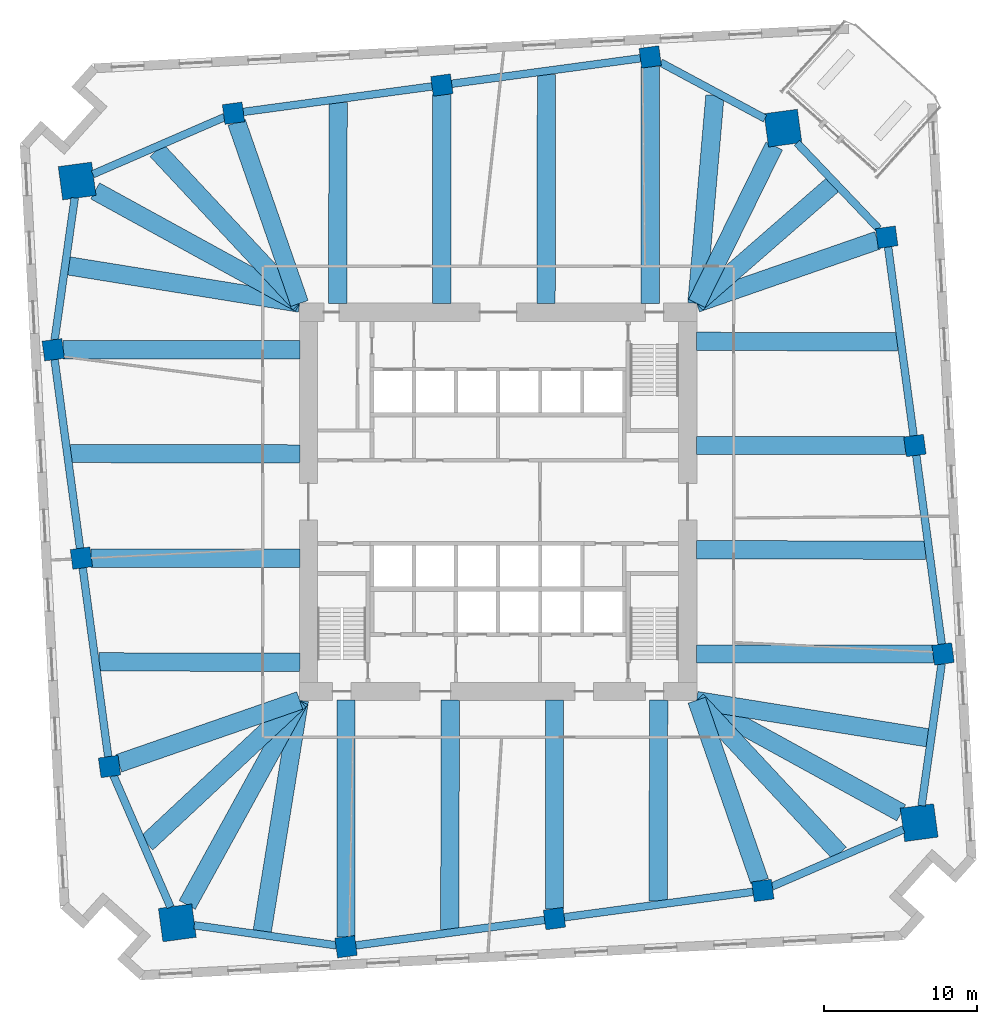
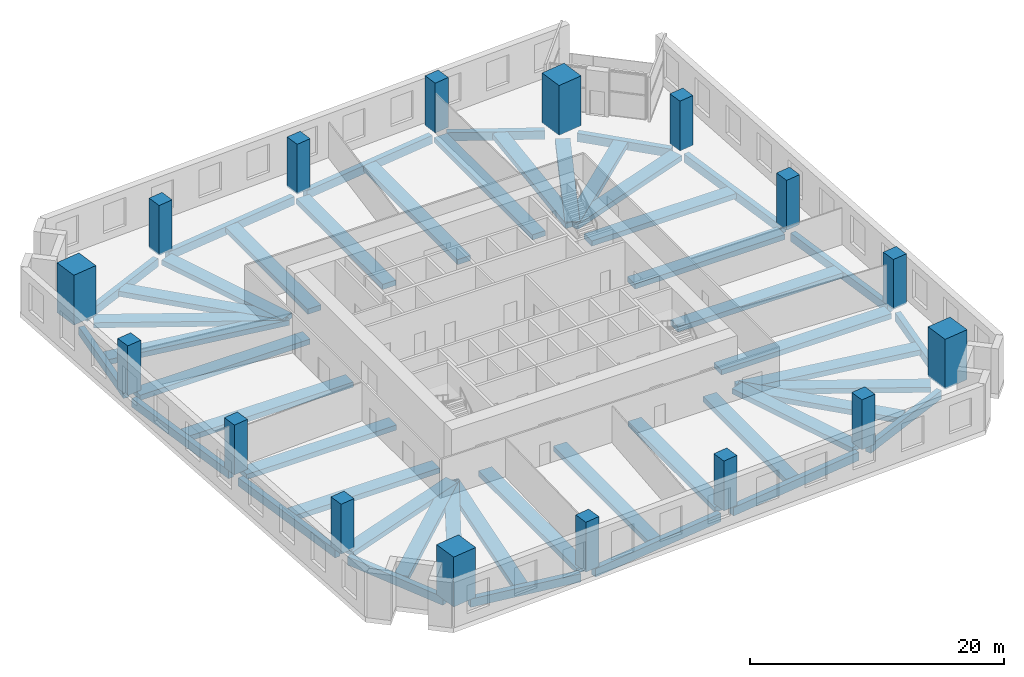
# One storey, part 1 of 10: 48 beams, 16 columns.
"""IFC4 building model written with IfcOpenShell, lengths in metres."""

from ifc_helpers import new_model, si_unit, direction, frame, origin, origin_2d, place, context, subcontext, project, spatial, rectangle, extrude, material, material_profile, profile_set, type_object, element, save


model = new_model("IFC4")

# Units and contexts
model_context = context("Model", 3, precision=1e-05, world=origin(), true_north=direction((0.0, 1.0)))
body_context = subcontext(model_context, "Body", "Model", "MODEL_VIEW")
ifc_project = project(units=[si_unit("LENGTHUNIT", "METRE"), si_unit("AREAUNIT", "SQUARE_METRE"), si_unit("VOLUMEUNIT", "CUBIC_METRE"), si_unit("PLANEANGLEUNIT", "RADIAN"), si_unit("MASSUNIT", "GRAM", prefix="KILO")], contexts=[model_context])

# Site, building, storey
site_placement = place(None, origin())
site = spatial("IfcSite", under=ifc_project, at=site_placement, CompositionType="ELEMENT")
building_placement = place(site_placement, origin())
building = spatial("IfcBuilding", under=site, at=building_placement, Name="Dilmun Exchange Tower", CompositionType="ELEMENT")
storey_placement = place(building_placement, frame((0.0, 0.0, 32.10009765625)))
storey = spatial("IfcBuildingStorey", under=building, at=storey_placement, Name="L07", CompositionType="ELEMENT", Elevation=32.10009765625)

# Columns
ifc_material_1 = material(Name="Concrete C80/95", Category="concrete")
ifc_material_profile_1 = material_profile(ifc_material_1, rectangle(XDim=2.199951171875, YDim=2.199951171875, at=origin_2d()), Name="2200 x 2200")
ifc_profile_set_1 = profile_set([ifc_material_profile_1], Name="Concrete C80/95")
column_type_1 = type_object("IfcColumnType", Name="RC mega column 2200 x 2200 C80/95", PredefinedType="COLUMN", material=ifc_profile_set_1)
for number, where, z_axis, x_axis, name in (
    (1, (18.6220703125, 24.43701171875, 0.0), (0.0, 0.0, 1.0), (0.991001197216, 0.133853005627, 0.0), "Mega column M1"),
    (2, (-27.531005859375, 20.97900390625, 0.0), (0.0, 0.0, 1.0), (0.991001197216, 0.133853005627, 0.0), "Mega column M2"),
    (3, (-20.97900390625, -27.531005859375, 0.0), (0.0, 0.0, 1.0), (0.991001197216, 0.133853005627, 0.0), "Mega column M3"),
    (4, (27.531005859375, -20.97900390625, 0.0), (0.0, 0.0, 1.0), (0.991001197216, 0.133853005627, 0.0), "Mega column M4"),
):
    element("IfcColumn", number, at=place(storey_placement, frame(where, z_axis=z_axis, x_axis=x_axis)), inside=storey, type_object=column_type_1, Name=name, PredefinedType="COLUMN", context=body_context, shape_type="SweptSolid", body=[
        extrude(rectangle(XDim=2.199951171875, YDim=2.199951171875, at=origin_2d()), origin(), (0.0, 0.0, 1.0), 4.7998046875),
    ])
ifc_material_profile_2 = material_profile(ifc_material_1, rectangle(XDim=1.300048828125, YDim=1.300048828125, at=origin_2d()), Name="1300 x 1300")
ifc_profile_set_2 = profile_set([ifc_material_profile_2], Name="Concrete C80/95")
column_type_2 = type_object("IfcColumnType", Name="RC ring column 1300 x 1300 C80/95", PredefinedType="COLUMN", material=ifc_profile_set_2)
for number, where, z_axis, x_axis, name in (
    (5, (9.945068359375, 29.093017578125, 0.0), (0.0, 0.0, 1.0), (0.991001197216, 0.133853005627, 0.0), "Ring column R01"),
    (6, (-3.680908203125, 27.2529296875, 0.0), (0.0, 0.0, 1.0), (0.991001197216, 0.133853005627, 0.0), "Ring column R02"),
    (7, (-17.306884765625, 25.412109375, 0.0), (0.0, 0.0, 1.0), (0.991001197216, 0.133853005627, 0.0), "Ring column R03"),
    (8, (-29.093017578125, 9.945068359375, 0.0), (0.0, 0.0, 1.0), (0.991001197216, 0.133853005627, 0.0), "Ring column R04"),
    (9, (-27.2529296875, -3.680908203125, 0.0), (0.0, 0.0, 1.0), (0.991001197216, 0.133853005627, 0.0), "Ring column R05"),
    (10, (-25.412109375, -17.306884765625, 0.0), (0.0, 0.0, 1.0), (0.991001197216, 0.133853005627, 0.0), "Ring column R06"),
    (11, (-9.945068359375, -29.093017578125, 0.0), (0.0, 0.0, 1.0), (0.991001197216, 0.133853005627, 0.0), "Ring column R07"),
    (12, (3.680908203125, -27.2529296875, 0.0), (0.0, 0.0, 1.0), (0.991001197216, 0.133853005627, 0.0), "Ring column R08"),
    (13, (17.306884765625, -25.412109375, 0.0), (0.0, 0.0, 1.0), (0.991001197216, 0.133853005627, 0.0), "Ring column R09"),
    (14, (29.093017578125, -9.945068359375, 0.0), (0.0, 0.0, 1.0), (0.991001197216, 0.133853005627, 0.0), "Ring column R10"),
    (15, (27.2529296875, 3.680908203125, 0.0), (0.0, 0.0, 1.0), (0.991001197216, 0.133853005627, 0.0), "Ring column R11"),
    (16, (25.412109375, 17.306884765625, 0.0), (0.0, 0.0, 1.0), (0.991001197216, 0.133853005627, 0.0), "Ring column R12"),
):
    element("IfcColumn", number, at=place(storey_placement, frame(where, z_axis=z_axis, x_axis=x_axis)), inside=storey, type_object=column_type_2, Name=name, PredefinedType="COLUMN", context=body_context, shape_type="SweptSolid", body=[
        extrude(rectangle(XDim=1.300048828125, YDim=1.300048828125, at=origin_2d()), origin(), (0.0, 0.0, 1.0), 4.7998046875),
    ])

# Beams
ifc_material_2 = material(Name="Concrete C40/50", Category="concrete")
ifc_material_profile_3 = material_profile(ifc_material_2, rectangle(XDim=1.199951171875, YDim=0.5, at=origin_2d()), Name="1200 x 500")
ifc_profile_set_3 = profile_set([ifc_material_profile_3], Name="Concrete C40/50")
beam_type_1 = type_object("IfcBeamType", Name="RC band beam 1200 x 500 C40/50", PredefinedType="BEAM", material=ifc_profile_set_3)
beam_1_placement = place(storey_placement, frame((18.049560546875, 23.272216796875, -0.7001953125), z_axis=(-0.44116009834, -0.897428419225, 0.0), x_axis=(0.897428419225, -0.44116009834, 0.0)))
element("IfcBeam", 17, at=beam_1_placement, inside=storey, type_object=beam_type_1, Name="Band beam 1", PredefinedType="BEAM", context=body_context, shape_type="SweptSolid", body=[
    extrude(rectangle(XDim=1.199951171875, YDim=0.5, at=origin_2d()), origin(), (0.0, 0.0, 1.0), 11.47314453125),
])
beam_2_placement = place(storey_placement, frame((9.945068359375, 28.464111328125, -0.7001953125), z_axis=(0.0, -1.0, 0.0), x_axis=(1.0, 0.0, 0.0)))
element("IfcBeam", 18, at=beam_2_placement, inside=storey, type_object=beam_type_1, Name="Band beam 2", PredefinedType="BEAM", context=body_context, shape_type="SweptSolid", body=[
    extrude(rectangle(XDim=1.199951171875, YDim=0.5, at=origin_2d()), origin(), (0.0, 0.0, 1.0), 15.4912109375),
])
beam_3_placement = place(storey_placement, frame((-3.680908203125, 26.6240234375, -0.7001953125), z_axis=(0.0, -1.0, 0.0), x_axis=(1.0, 0.0, 0.0)))
element("IfcBeam", 19, at=beam_3_placement, inside=storey, type_object=beam_type_1, Name="Band beam 3", PredefinedType="BEAM", context=body_context, shape_type="SweptSolid", body=[
    extrude(rectangle(XDim=1.199951171875, YDim=0.5, at=origin_2d()), origin(), (0.0, 0.0, 1.0), 13.651123046875),
])
beam_4_placement = place(storey_placement, frame((-17.098388671875, 24.81103515625, -0.7001953125), z_axis=(0.327819910959, -0.94474023201, 0.0), x_axis=(0.94474023201, 0.327819910959, 0.0)))
element("IfcBeam", 20, at=beam_4_placement, inside=storey, type_object=beam_type_1, Name="Band beam 4", PredefinedType="BEAM", context=body_context, shape_type="SweptSolid", body=[
    extrude(rectangle(XDim=1.199951171875, YDim=0.5, at=origin_2d()), origin(), (0.0, 0.0, 1.0), 12.52880859375),
])
beam_5_placement = place(storey_placement, frame((-26.355712890625, 20.333740234375, -0.7001953125), z_axis=(0.876547324806, -0.481315683699, 0.0), x_axis=(0.481315683699, 0.876547324806, 0.0)))
element("IfcBeam", 21, at=beam_5_placement, inside=storey, type_object=beam_type_1, Name="Band beam 5", PredefinedType="BEAM", context=body_context, shape_type="SweptSolid", body=[
    extrude(rectangle(XDim=1.199951171875, YDim=0.5, at=origin_2d()), origin(), (0.0, 0.0, 1.0), 15.263671875),
])
beam_6_placement = place(storey_placement, frame((-28.464111328125, 9.945068359375, -0.7001953125), z_axis=(1.0, 0.0, 0.0), x_axis=(0.0, 1.0, 0.0)))
element("IfcBeam", 22, at=beam_6_placement, inside=storey, type_object=beam_type_1, Name="Band beam 6", PredefinedType="BEAM", context=body_context, shape_type="SweptSolid", body=[
    extrude(rectangle(XDim=1.199951171875, YDim=0.5, at=origin_2d()), origin(), (0.0, 0.0, 1.0), 15.4912109375),
])
beam_7_placement = place(storey_placement, frame((-26.6240234375, -3.680908203125, -0.7001953125), z_axis=(1.0, 0.0, 0.0), x_axis=(0.0, 1.0, 0.0)))
element("IfcBeam", 23, at=beam_7_placement, inside=storey, type_object=beam_type_1, Name="Band beam 7", PredefinedType="BEAM", context=body_context, shape_type="SweptSolid", body=[
    extrude(rectangle(XDim=1.199951171875, YDim=0.5, at=origin_2d()), origin(), (0.0, 0.0, 1.0), 13.651123046875),
])
beam_8_placement = place(storey_placement, frame((-24.81103515625, -17.098388671875, -0.7001953125), z_axis=(0.94474023201, 0.327819910959, 0.0), x_axis=(-0.327819910959, 0.94474023201, 0.0)))
element("IfcBeam", 24, at=beam_8_placement, inside=storey, type_object=beam_type_1, Name="Band beam 8", PredefinedType="BEAM", context=body_context, shape_type="SweptSolid", body=[
    extrude(rectangle(XDim=1.199951171875, YDim=0.5, at=origin_2d()), origin(), (0.0, 0.0, 1.0), 12.52880859375),
])
beam_9_placement = place(storey_placement, frame((-20.333740234375, -26.355712890625, -0.7001953125), z_axis=(0.481315683699, 0.876547324806, 0.0), x_axis=(-0.876547324806, 0.481315683699, 0.0)))
element("IfcBeam", 25, at=beam_9_placement, inside=storey, type_object=beam_type_1, Name="Band beam 9", PredefinedType="BEAM", context=body_context, shape_type="SweptSolid", body=[
    extrude(rectangle(XDim=1.199951171875, YDim=0.5, at=origin_2d()), origin(), (0.0, 0.0, 1.0), 15.263671875),
])
beam_10_placement = place(storey_placement, frame((-9.945068359375, -28.464111328125, -0.7001953125), z_axis=(0.0, 1.0, 0.0), x_axis=(-1.0, 0.0, 0.0)))
element("IfcBeam", 26, at=beam_10_placement, inside=storey, type_object=beam_type_1, Name="Band beam 10", PredefinedType="BEAM", context=body_context, shape_type="SweptSolid", body=[
    extrude(rectangle(XDim=1.199951171875, YDim=0.5, at=origin_2d()), origin(), (0.0, 0.0, 1.0), 15.4912109375),
])
beam_11_placement = place(storey_placement, frame((3.680908203125, -26.6240234375, -0.7001953125), z_axis=(0.0, 1.0, 0.0), x_axis=(-1.0, 0.0, 0.0)))
element("IfcBeam", 27, at=beam_11_placement, inside=storey, type_object=beam_type_1, Name="Band beam 11", PredefinedType="BEAM", context=body_context, shape_type="SweptSolid", body=[
    extrude(rectangle(XDim=1.199951171875, YDim=0.5, at=origin_2d()), origin(), (0.0, 0.0, 1.0), 13.651123046875),
])
beam_12_placement = place(storey_placement, frame((17.098388671875, -24.81103515625, -0.7001953125), z_axis=(-0.327819910959, 0.94474023201, 0.0), x_axis=(-0.94474023201, -0.327819910959, 0.0)))
element("IfcBeam", 28, at=beam_12_placement, inside=storey, type_object=beam_type_1, Name="Band beam 12", PredefinedType="BEAM", context=body_context, shape_type="SweptSolid", body=[
    extrude(rectangle(XDim=1.199951171875, YDim=0.5, at=origin_2d()), origin(), (0.0, 0.0, 1.0), 12.52880859375),
])
beam_13_placement = place(storey_placement, frame((26.355712890625, -20.333740234375, -0.7001953125), z_axis=(-0.876547324806, 0.481315683699, 0.0), x_axis=(-0.481315683699, -0.876547324806, 0.0)))
element("IfcBeam", 29, at=beam_13_placement, inside=storey, type_object=beam_type_1, Name="Band beam 13", PredefinedType="BEAM", context=body_context, shape_type="SweptSolid", body=[
    extrude(rectangle(XDim=1.199951171875, YDim=0.5, at=origin_2d()), origin(), (0.0, 0.0, 1.0), 15.263671875),
])
beam_14_placement = place(storey_placement, frame((28.464111328125, -9.945068359375, -0.7001953125), z_axis=(-1.0, 0.0, 0.0), x_axis=(0.0, -1.0, 0.0)))
element("IfcBeam", 30, at=beam_14_placement, inside=storey, type_object=beam_type_1, Name="Band beam 14", PredefinedType="BEAM", context=body_context, shape_type="SweptSolid", body=[
    extrude(rectangle(XDim=1.199951171875, YDim=0.5, at=origin_2d()), origin(), (0.0, 0.0, 1.0), 15.4912109375),
])
beam_15_placement = place(storey_placement, frame((26.6240234375, 3.680908203125, -0.7001953125), z_axis=(-1.0, 0.0, 0.0), x_axis=(0.0, -1.0, 0.0)))
element("IfcBeam", 31, at=beam_15_placement, inside=storey, type_object=beam_type_1, Name="Band beam 15", PredefinedType="BEAM", context=body_context, shape_type="SweptSolid", body=[
    extrude(rectangle(XDim=1.199951171875, YDim=0.5, at=origin_2d()), origin(), (0.0, 0.0, 1.0), 13.651123046875),
])
beam_16_placement = place(storey_placement, frame((24.81103515625, 17.098388671875, -0.7001953125), z_axis=(-0.94474023201, -0.327819910959, 0.0), x_axis=(0.327819910959, -0.94474023201, 0.0)))
element("IfcBeam", 32, at=beam_16_placement, inside=storey, type_object=beam_type_1, Name="Band beam 16", PredefinedType="BEAM", context=body_context, shape_type="SweptSolid", body=[
    extrude(rectangle(XDim=1.199951171875, YDim=0.5, at=origin_2d()), origin(), (0.0, 0.0, 1.0), 12.52880859375),
])
beam_17_placement = place(storey_placement, frame((14.177978515625, 26.568603515625, -0.7001953125), z_axis=(-0.086499148019, -0.996251924662, 0.0), x_axis=(0.996251924662, -0.086499148019, 0.0)))
element("IfcBeam", 33, at=beam_17_placement, inside=storey, type_object=beam_type_1, Name="Band beam 17", PredefinedType="BEAM", context=body_context, shape_type="SweptSolid", body=[
    extrude(rectangle(XDim=1.199951171875, YDim=0.5, at=origin_2d()), origin(), (0.0, 0.0, 1.0), 13.646728515625),
])
beam_18_placement = place(storey_placement, frame((3.161865234375, 27.951904296875, -0.7001953125), z_axis=(-0.001988456479, -0.999998023018, 0.0), x_axis=(0.999998023018, -0.001988456479, 0.0)))
element("IfcBeam", 34, at=beam_18_placement, inside=storey, type_object=beam_type_1, Name="Band beam 18", PredefinedType="BEAM", context=body_context, shape_type="SweptSolid", body=[
    extrude(rectangle(XDim=1.199951171875, YDim=0.5, at=origin_2d()), origin(), (0.0, 0.0, 1.0), 14.97900390625),
])
beam_19_placement = place(storey_placement, frame((-10.464111328125, 26.111572265625, -0.7001953125), z_axis=(-0.002266977971, -0.999997430402, 0.0), x_axis=(0.999997430402, -0.002266977971, 0.0)))
element("IfcBeam", 35, at=beam_19_placement, inside=storey, type_object=beam_type_1, Name="Band beam 19", PredefinedType="BEAM", context=body_context, shape_type="SweptSolid", body=[
    extrude(rectangle(XDim=1.199951171875, YDim=0.5, at=origin_2d()), origin(), (0.0, 0.0, 1.0), 13.138671875),
])
beam_20_placement = place(storey_placement, frame((-22.330322265625, 22.990966796875, -0.7001953125), z_axis=(0.682523984798, -0.730863195253, 0.0), x_axis=(0.730863195253, 0.682523984798, 0.0)))
element("IfcBeam", 36, at=beam_20_placement, inside=storey, type_object=beam_type_1, Name="Band beam 20", PredefinedType="BEAM", context=body_context, shape_type="SweptSolid", body=[
    extrude(rectangle(XDim=1.199951171875, YDim=0.5, at=origin_2d()), origin(), (0.0, 0.0, 1.0), 13.697265625),
])
beam_21_placement = place(storey_placement, frame((-28.09130859375, 15.4306640625, -0.7001953125), z_axis=(0.98727513595, -0.159021400868, 0.0), x_axis=(0.159021400868, 0.98727513595, 0.0)))
element("IfcBeam", 37, at=beam_21_placement, inside=storey, type_object=beam_type_1, Name="Band beam 21", PredefinedType="BEAM", context=body_context, shape_type="SweptSolid", body=[
    extrude(rectangle(XDim=1.199951171875, YDim=0.5, at=origin_2d()), origin(), (0.0, 0.0, 1.0), 15.312744140625),
])
beam_22_placement = place(storey_placement, frame((-27.951904296875, 3.161865234375, -0.7001953125), z_axis=(0.999998023018, -0.001988456479, 0.0), x_axis=(0.001988456479, 0.999998023018, 0.0)))
element("IfcBeam", 38, at=beam_22_placement, inside=storey, type_object=beam_type_1, Name="Band beam 22", PredefinedType="BEAM", context=body_context, shape_type="SweptSolid", body=[
    extrude(rectangle(XDim=1.199951171875, YDim=0.5, at=origin_2d()), origin(), (0.0, 0.0, 1.0), 14.97900390625),
])
beam_23_placement = place(storey_placement, frame((-26.111572265625, -10.464111328125, -0.7001953125), z_axis=(0.999997430402, -0.002266977971, 0.0), x_axis=(0.002266977971, 0.999997430402, 0.0)))
element("IfcBeam", 39, at=beam_23_placement, inside=storey, type_object=beam_type_1, Name="Band beam 23", PredefinedType="BEAM", context=body_context, shape_type="SweptSolid", body=[
    extrude(rectangle(XDim=1.199951171875, YDim=0.5, at=origin_2d()), origin(), (0.0, 0.0, 1.0), 13.138671875),
])
beam_24_placement = place(storey_placement, frame((-22.990966796875, -22.330322265625, -0.7001953125), z_axis=(0.730863195253, 0.682523984798, 0.0), x_axis=(-0.682523984798, 0.730863195253, 0.0)))
element("IfcBeam", 40, at=beam_24_placement, inside=storey, type_object=beam_type_1, Name="Band beam 24", PredefinedType="BEAM", context=body_context, shape_type="SweptSolid", body=[
    extrude(rectangle(XDim=1.199951171875, YDim=0.5, at=origin_2d()), origin(), (0.0, 0.0, 1.0), 13.697265625),
])
beam_25_placement = place(storey_placement, frame((-15.4306640625, -28.09130859375, -0.7001953125), z_axis=(0.159021400868, 0.98727513595, 0.0), x_axis=(-0.98727513595, 0.159021400868, 0.0)))
element("IfcBeam", 41, at=beam_25_placement, inside=storey, type_object=beam_type_1, Name="Band beam 25", PredefinedType="BEAM", context=body_context, shape_type="SweptSolid", body=[
    extrude(rectangle(XDim=1.199951171875, YDim=0.5, at=origin_2d()), origin(), (0.0, 0.0, 1.0), 15.312744140625),
])
beam_26_placement = place(storey_placement, frame((-3.161865234375, -27.951904296875, -0.7001953125), z_axis=(0.001988456479, 0.999998023018, 0.0), x_axis=(-0.999998023018, 0.001988456479, 0.0)))
element("IfcBeam", 42, at=beam_26_placement, inside=storey, type_object=beam_type_1, Name="Band beam 26", PredefinedType="BEAM", context=body_context, shape_type="SweptSolid", body=[
    extrude(rectangle(XDim=1.199951171875, YDim=0.5, at=origin_2d()), origin(), (0.0, 0.0, 1.0), 14.97900390625),
])
beam_27_placement = place(storey_placement, frame((10.464111328125, -26.111572265625, -0.7001953125), z_axis=(0.002266977971, 0.999997430402, 0.0), x_axis=(-0.999997430402, 0.002266977971, 0.0)))
element("IfcBeam", 43, at=beam_27_placement, inside=storey, type_object=beam_type_1, Name="Band beam 27", PredefinedType="BEAM", context=body_context, shape_type="SweptSolid", body=[
    extrude(rectangle(XDim=1.199951171875, YDim=0.5, at=origin_2d()), origin(), (0.0, 0.0, 1.0), 13.138671875),
])
beam_28_placement = place(storey_placement, frame((22.330322265625, -22.990966796875, -0.7001953125), z_axis=(-0.682523984798, 0.730863195253, 0.0), x_axis=(-0.730863195253, -0.682523984798, 0.0)))
element("IfcBeam", 44, at=beam_28_placement, inside=storey, type_object=beam_type_1, Name="Band beam 28", PredefinedType="BEAM", context=body_context, shape_type="SweptSolid", body=[
    extrude(rectangle(XDim=1.199951171875, YDim=0.5, at=origin_2d()), origin(), (0.0, 0.0, 1.0), 13.697265625),
])
beam_29_placement = place(storey_placement, frame((28.09130859375, -15.4306640625, -0.7001953125), z_axis=(-0.98727513595, 0.159021400868, 0.0), x_axis=(-0.159021400868, -0.98727513595, 0.0)))
element("IfcBeam", 45, at=beam_29_placement, inside=storey, type_object=beam_type_1, Name="Band beam 29", PredefinedType="BEAM", context=body_context, shape_type="SweptSolid", body=[
    extrude(rectangle(XDim=1.199951171875, YDim=0.5, at=origin_2d()), origin(), (0.0, 0.0, 1.0), 15.312744140625),
])
beam_30_placement = place(storey_placement, frame((27.951904296875, -3.161865234375, -0.7001953125), z_axis=(-0.999998023018, 0.001988456479, 0.0), x_axis=(-0.001988456479, -0.999998023018, 0.0)))
element("IfcBeam", 46, at=beam_30_placement, inside=storey, type_object=beam_type_1, Name="Band beam 30", PredefinedType="BEAM", context=body_context, shape_type="SweptSolid", body=[
    extrude(rectangle(XDim=1.199951171875, YDim=0.5, at=origin_2d()), origin(), (0.0, 0.0, 1.0), 14.97900390625),
])
beam_31_placement = place(storey_placement, frame((26.111572265625, 10.464111328125, -0.7001953125), z_axis=(-0.999997430402, 0.002266977971, 0.0), x_axis=(-0.002266977971, -0.999997430402, 0.0)))
element("IfcBeam", 47, at=beam_31_placement, inside=storey, type_object=beam_type_1, Name="Band beam 31", PredefinedType="BEAM", context=body_context, shape_type="SweptSolid", body=[
    extrude(rectangle(XDim=1.199951171875, YDim=0.5, at=origin_2d()), origin(), (0.0, 0.0, 1.0), 13.138671875),
])
beam_32_placement = place(storey_placement, frame((21.85546875, 20.71826171875, -0.7001953125), z_axis=(-0.75384567582, -0.657051517803, 0.0), x_axis=(0.657051517803, -0.75384567582, 0.0)))
element("IfcBeam", 48, at=beam_32_placement, inside=storey, type_object=beam_type_1, Name="Band beam 32", PredefinedType="BEAM", context=body_context, shape_type="SweptSolid", body=[
    extrude(rectangle(XDim=1.199951171875, YDim=0.5, at=origin_2d()), origin(), (0.0, 0.0, 1.0), 11.77392578125),
])
ifc_material_profile_4 = material_profile(ifc_material_2, rectangle(XDim=0.5, YDim=0.800048828125, at=origin_2d()), Name="500 x 800")
ifc_profile_set_4 = profile_set([ifc_material_profile_4], Name="Concrete C40/50")
beam_type_2 = type_object("IfcBeamType", Name="RC ring beam 500 x 800 C40/50", PredefinedType="SPANDREL", material=ifc_profile_set_4)
beam_33_placement = place(storey_placement, frame((17.44921875, 25.06640625, -0.85009765625), z_axis=(-0.881161870548, 0.472814718354, 0.0), x_axis=(-0.472814718354, -0.881161870548, 0.0)))
element("IfcBeam", 49, at=beam_33_placement, inside=storey, type_object=beam_type_2, Name="Ring beam 1", PredefinedType="SPANDREL", context=body_context, shape_type="SweptSolid", body=[
    extrude(rectangle(XDim=0.5, YDim=0.800048828125, at=origin_2d()), origin(), (0.0, 0.0, 1.0), 7.74072265625),
])
for number, where, z_axis, x_axis, name in (
    (50, (9.32763671875, 29.009521484375, -0.85009765625), (-0.991007411355, -0.133806990248, 0.0), (0.133806990248, -0.991007411355, 0.0), "Ring beam 2"),
    (51, (-4.29833984375, 27.169677734375, -0.85009765625), (-0.990994461239, -0.133902867012, 0.0), (0.133902867012, -0.990994461239, 0.0), "Ring beam 3"),
):
    element("IfcBeam", number, at=place(storey_placement, frame(where, z_axis=z_axis, x_axis=x_axis)), inside=storey, type_object=beam_type_2, Name=name, PredefinedType="SPANDREL", context=body_context, shape_type="SweptSolid", body=[
        extrude(rectangle(XDim=0.5, YDim=0.800048828125, at=origin_2d()), origin(), (0.0, 0.0, 1.0), 12.50390625),
    ])
beam_34_placement = place(storey_placement, frame((-17.90185546875, 25.154052734375, -0.85009765625), z_axis=(-0.917467286901, -0.397811233459, 0.0), x_axis=(0.397811233459, -0.917467286901, 0.0)))
element("IfcBeam", 52, at=beam_34_placement, inside=storey, type_object=beam_type_2, Name="Ring beam 4", PredefinedType="SPANDREL", context=body_context, shape_type="SweptSolid", body=[
    extrude(rectangle(XDim=0.5, YDim=0.800048828125, at=origin_2d()), origin(), (0.0, 0.0, 1.0), 9.37939453125),
])
beam_35_placement = place(storey_placement, frame((-27.6875, 19.8740234375, -0.85009765625), z_axis=(-0.140164060375, -0.990128292788, 0.0), x_axis=(0.990128292788, -0.140164060375, 0.0)))
element("IfcBeam", 53, at=beam_35_placement, inside=storey, type_object=beam_type_2, Name="Ring beam 5", PredefinedType="SPANDREL", context=body_context, shape_type="SweptSolid", body=[
    extrude(rectangle(XDim=0.5, YDim=0.800048828125, at=origin_2d()), origin(), (0.0, 0.0, 1.0), 9.379638671875),
])
for number, where, z_axis, x_axis, name in (
    (54, (-29.009521484375, 9.32763671875, -0.85009765625), (0.133806990248, -0.991007411355, 0.0), (0.991007411355, 0.133806990248, 0.0), "Ring beam 6"),
    (55, (-27.169677734375, -4.29833984375, -0.85009765625), (0.133902867012, -0.990994461239, 0.0), (0.990994461239, 0.133902867012, 0.0), "Ring beam 7"),
):
    element("IfcBeam", number, at=place(storey_placement, frame(where, z_axis=z_axis, x_axis=x_axis)), inside=storey, type_object=beam_type_2, Name=name, PredefinedType="SPANDREL", context=body_context, shape_type="SweptSolid", body=[
        extrude(rectangle(XDim=0.5, YDim=0.800048828125, at=origin_2d()), origin(), (0.0, 0.0, 1.0), 12.50390625),
    ])
beam_36_placement = place(storey_placement, frame((-25.154052734375, -17.90185546875, -0.85009765625), z_axis=(0.397811233459, -0.917467286901, 0.0), x_axis=(0.917467286901, 0.397811233459, 0.0)))
element("IfcBeam", 56, at=beam_36_placement, inside=storey, type_object=beam_type_2, Name="Ring beam 8", PredefinedType="SPANDREL", context=body_context, shape_type="SweptSolid", body=[
    extrude(rectangle(XDim=0.5, YDim=0.800048828125, at=origin_2d()), origin(), (0.0, 0.0, 1.0), 9.37939453125),
])
beam_37_placement = place(storey_placement, frame((-19.8740234375, -27.6875, -0.85009765625), z_axis=(0.990128292788, -0.140164060375, 0.0), x_axis=(0.140164060375, 0.990128292788, 0.0)))
element("IfcBeam", 57, at=beam_37_placement, inside=storey, type_object=beam_type_2, Name="Ring beam 9", PredefinedType="SPANDREL", context=body_context, shape_type="SweptSolid", body=[
    extrude(rectangle(XDim=0.5, YDim=0.800048828125, at=origin_2d()), origin(), (0.0, 0.0, 1.0), 9.379638671875),
])
for number, where, z_axis, x_axis, name in (
    (58, (-9.32763671875, -29.009521484375, -0.85009765625), (0.991007411355, 0.133806990248, 0.0), (-0.133806990248, 0.991007411355, 0.0), "Ring beam 10"),
    (59, (4.29833984375, -27.169677734375, -0.85009765625), (0.990994461239, 0.133902867012, 0.0), (-0.133902867012, 0.990994461239, 0.0), "Ring beam 11"),
):
    element("IfcBeam", number, at=place(storey_placement, frame(where, z_axis=z_axis, x_axis=x_axis)), inside=storey, type_object=beam_type_2, Name=name, PredefinedType="SPANDREL", context=body_context, shape_type="SweptSolid", body=[
        extrude(rectangle(XDim=0.5, YDim=0.800048828125, at=origin_2d()), origin(), (0.0, 0.0, 1.0), 12.50390625),
    ])
beam_38_placement = place(storey_placement, frame((17.90185546875, -25.154052734375, -0.85009765625), z_axis=(0.917467286901, 0.397811233459, 0.0), x_axis=(-0.397811233459, 0.917467286901, 0.0)))
element("IfcBeam", 60, at=beam_38_placement, inside=storey, type_object=beam_type_2, Name="Ring beam 12", PredefinedType="SPANDREL", context=body_context, shape_type="SweptSolid", body=[
    extrude(rectangle(XDim=0.5, YDim=0.800048828125, at=origin_2d()), origin(), (0.0, 0.0, 1.0), 9.37939453125),
])
beam_39_placement = place(storey_placement, frame((27.6875, -19.8740234375, -0.85009765625), z_axis=(0.140164060375, 0.990128292788, 0.0), x_axis=(-0.990128292788, 0.140164060375, 0.0)))
element("IfcBeam", 61, at=beam_39_placement, inside=storey, type_object=beam_type_2, Name="Ring beam 13", PredefinedType="SPANDREL", context=body_context, shape_type="SweptSolid", body=[
    extrude(rectangle(XDim=0.5, YDim=0.800048828125, at=origin_2d()), origin(), (0.0, 0.0, 1.0), 9.379638671875),
])
for number, where, z_axis, x_axis, name in (
    (62, (29.009521484375, -9.32763671875, -0.85009765625), (-0.133806990248, 0.991007411355, 0.0), (-0.991007411355, -0.133806990248, 0.0), "Ring beam 14"),
    (63, (27.169677734375, 4.29833984375, -0.85009765625), (-0.133902867012, 0.990994461239, 0.0), (-0.990994461239, -0.133902867012, 0.0), "Ring beam 15"),
):
    element("IfcBeam", number, at=place(storey_placement, frame(where, z_axis=z_axis, x_axis=x_axis)), inside=storey, type_object=beam_type_2, Name=name, PredefinedType="SPANDREL", context=body_context, shape_type="SweptSolid", body=[
        extrude(rectangle(XDim=0.5, YDim=0.800048828125, at=origin_2d()), origin(), (0.0, 0.0, 1.0), 12.50390625),
    ])
beam_40_placement = place(storey_placement, frame((24.877197265625, 17.86865234375, -0.85009765625), z_axis=(-0.689624451134, 0.724167188154, 0.0), x_axis=(-0.724167188154, -0.689624451134, 0.0)))
element("IfcBeam", 64, at=beam_40_placement, inside=storey, type_object=beam_type_2, Name="Ring beam 16", PredefinedType="SPANDREL", context=body_context, shape_type="SweptSolid", body=[
    extrude(rectangle(XDim=0.5, YDim=0.800048828125, at=origin_2d()), origin(), (0.0, 0.0, 1.0), 7.7392578125),
])

save(model, "model.ifc")
